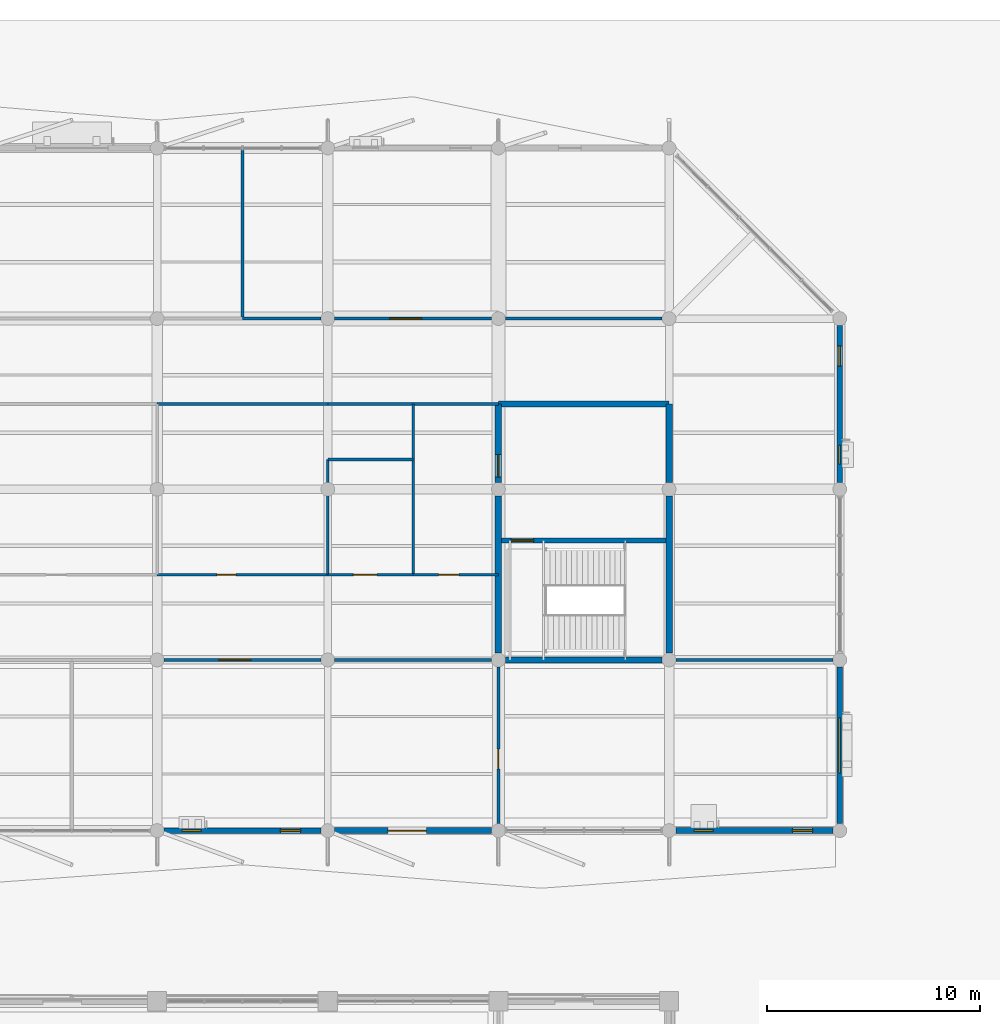
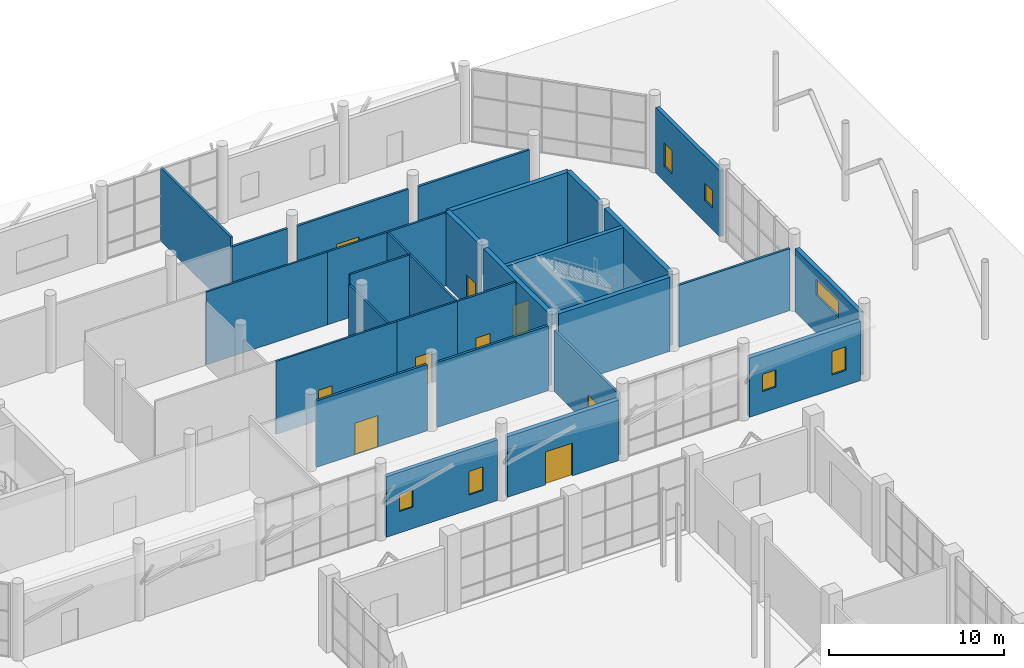
# One storey, part 104 of 123: 28 walls, 9 doors, 7 windows, 16 openings.
"""IFC4 building model written with IfcOpenShell, lengths in metres."""

from ifc_helpers import new_model, si_unit, direction, frame, frame_2d, origin, place, context, subcontext, project, spatial, rectangle, extrude, material, layer, layer_set, type_object, element, fill, save


model = new_model("IFC4")

# Units and contexts
model_context = context("Model", 3, precision=1e-05, world=origin(), true_north=direction((0.0, 1.0)))
body_context = subcontext(model_context, "Body", "Model", "MODEL_VIEW")
ifc_project = project(units=[si_unit("LENGTHUNIT", "METRE"), si_unit("AREAUNIT", "SQUARE_METRE"), si_unit("VOLUMEUNIT", "CUBIC_METRE"), si_unit("PLANEANGLEUNIT", "RADIAN"), si_unit("MASSUNIT", "GRAM", prefix="KILO")], contexts=[model_context])

# Site, building, storey
site_placement = place(None, origin())
site = spatial("IfcSite", under=ifc_project, at=site_placement, CompositionType="ELEMENT")
building_placement = place(site_placement, origin())
building = spatial("IfcBuilding", under=site, at=building_placement, Name="Tenunan Teduh Sports Hall", CompositionType="ELEMENT")
storey_placement = place(building_placement, origin())
storey = spatial("IfcBuildingStorey", under=building, at=storey_placement, Name="L00", CompositionType="ELEMENT", Elevation=0.0)

# Wall, opening, door
ifc_material_1 = material(Name="Concrete C40/50", Category="concrete")
ifc_layer_1 = layer(ifc_material_1, 0.25)
ifc_layer_set_1 = layer_set([ifc_layer_1], Name="Concrete C40/50")
wall_type_1 = type_object("IfcWallType", Name="WL-COR-250", PredefinedType="SOLIDWALL", material=ifc_layer_set_1)
wall_1_placement = place(storey_placement, frame((146.14990234375, 99.60009765625, 0.0), z_axis=(0.0, 0.0, 1.0), x_axis=(1.0, 0.0, 0.0)))
wall_1 = element("IfcWall", 1, at=wall_1_placement, inside=storey, type_object=wall_type_1, Name="WL-COR-L00-203", PredefinedType="SOLIDWALL", context=body_context, shape_type="SweptSolid", body=[
    extrude(rectangle(XDim=7.7001953125, YDim=0.25, at=frame_2d((3.85009765625, 0.0))), origin(), (0.0, 0.0, 1.0), 5.179931640625),
])
opening_1_placement = place(wall_1_placement, frame((0.449951171875, 0.0, 0.0)))
opening_1 = element("IfcOpeningElement", 2, at=opening_1_placement, cuts=wall_1, Name="Opening FD-02", PredefinedType="OPENING", context=body_context, shape_type="SweptSolid", body=[
    extrude(rectangle(XDim=1.050048828125, YDim=2.199951171875, at=frame_2d((0.52490234375, 1.10009765625))), frame((0.0, 0.135009765625, 0.0), z_axis=(0.0, -1.0, 0.0), x_axis=(1.0, 0.0, 0.0)), (0.0, 0.0, 1.0), 0.27001953125),
])
ifc_material_2 = material(Name="Fire-rated steel leaf and frame", Category="steel")
door_type_1 = type_object("IfcDoorType", Name="FDR-02", OperationType="SINGLE_SWING_RIGHT", PredefinedType="DOOR", material=ifc_material_2)
door_1_placement = place(opening_1_placement, frame((1.050048828125, 0.0, 0.0), z_axis=(0.0, 0.0, 1.0), x_axis=(-1.0, 0.0, 0.0)))
door_1 = element("IfcDoor", 3, at=door_1_placement, inside=storey, type_object=door_type_1, Name="DR-INT-L00-080", OperationType="SINGLE_SWING_RIGHT", OverallHeight=2.199951171875, OverallWidth=1.050048828125, PredefinedType="DOOR", context=body_context, shape_type="SweptSolid", body=[
    extrude(rectangle(XDim=1.050048828125, YDim=2.199951171875, at=frame_2d((0.52490234375, 1.10009765625))), frame((0.0, 0.02490234375, 0.0), z_axis=(0.0, -1.0, 0.0), x_axis=(1.0, 0.0, 0.0)), (0.0, 0.0, 1.0), 0.050048828125),
])
fill(opening_1, door_1)

# Wall, openings, windows
ifc_material_3 = material(Name="Precast concrete C40/50", Category="concrete")
ifc_layer_2 = layer(ifc_material_3, 0.25)
ifc_layer_set_2 = layer_set([ifc_layer_2], Name="Precast concrete C40/50")
wall_type_2 = type_object("IfcWallType", Name="WL-EXT-250", PredefinedType="SOLIDWALL", material=ifc_layer_set_2)
wall_2_placement = place(storey_placement, frame((130.324951171875, 86.0, 0.0), z_axis=(0.0, 0.0, 1.0), x_axis=(1.0, 0.0, 0.0)))
wall_2 = element("IfcWall", 4, at=wall_2_placement, inside=storey, type_object=wall_type_2, Name="WL-EXT-L00-217", PredefinedType="SOLIDWALL", context=body_context, shape_type="SweptSolid", body=[
    extrude(rectangle(XDim=7.35009765625, YDim=0.25, at=frame_2d((3.675048828125, 0.0))), origin(), (0.0, 0.0, 1.0), 4.239990234375),
])
opening_2_placement = place(wall_2_placement, frame((0.85009765625, 0.0, 1.5)))
opening_2 = element("IfcOpeningElement", 5, at=opening_2_placement, cuts=wall_2, Name="Opening W-08", PredefinedType="OPENING", context=body_context, shape_type="SweptSolid", body=[
    extrude(rectangle(XDim=0.89990234375, YDim=1.199951171875, at=frame_2d((0.449951171875, 0.60009765625))), frame((0.0, 0.135009765625, 0.0), z_axis=(0.0, -1.0, 0.0), x_axis=(1.0, 0.0, 0.0)), (0.0, 0.0, 1.0), 0.27001953125),
])
opening_3_placement = place(wall_2_placement, frame((5.449951171875, 0.0, 1.050048828125)))
opening_3 = element("IfcOpeningElement", 6, at=opening_3_placement, cuts=wall_2, Name="Opening W-17", PredefinedType="OPENING", context=body_context, shape_type="SweptSolid", body=[
    extrude(rectangle(XDim=0.949951171875, YDim=1.64990234375, at=frame_2d((0.47509765625, 0.824951171875))), frame((0.0, 0.135009765625, 0.0), z_axis=(0.0, -1.0, 0.0), x_axis=(1.0, 0.0, 0.0)), (0.0, 0.0, 1.0), 0.27001953125),
])
ifc_material_4 = material(Name="Thermally broken aluminium and Low-E glazing", Category="aluminium")
window_type_1 = type_object("IfcWindowType", Name="WIN-08", PartitioningType="SINGLE_PANEL", PredefinedType="WINDOW", material=ifc_material_4)
window_1_placement = place(opening_2_placement, origin())
window_1 = element("IfcWindow", 7, at=window_1_placement, inside=storey, type_object=window_type_1, Name="WIN-L00-120", OverallHeight=1.199951171875, OverallWidth=0.89990234375, PartitioningType="SINGLE_PANEL", PredefinedType="WINDOW", context=body_context, shape_type="SweptSolid", body=[
    extrude(rectangle(XDim=0.89990234375, YDim=1.199951171875, at=frame_2d((0.449951171875, 0.60009765625))), frame((0.0, 0.030029296875, 0.0), z_axis=(0.0, -1.0, 0.0), x_axis=(1.0, 0.0, 0.0)), (0.0, 0.0, 1.0), 0.06005859375),
])
fill(opening_2, window_1)
ifc_material_5 = material(Name="Thermally broken aluminium and Low-E glazing", Category="aluminium")
window_type_2 = type_object("IfcWindowType", Name="WIN-17", PartitioningType="SINGLE_PANEL", PredefinedType="WINDOW", material=ifc_material_5)
window_2_placement = place(opening_3_placement, origin())
window_2 = element("IfcWindow", 8, at=window_2_placement, inside=storey, type_object=window_type_2, Name="WIN-L00-121", OverallHeight=1.64990234375, OverallWidth=0.949951171875, PartitioningType="SINGLE_PANEL", PredefinedType="WINDOW", context=body_context, shape_type="SweptSolid", body=[
    extrude(rectangle(XDim=0.949951171875, YDim=1.64990234375, at=frame_2d((0.47509765625, 0.824951171875))), frame((0.0, 0.030029296875, 0.0), z_axis=(0.0, -1.0, 0.0), x_axis=(1.0, 0.0, 0.0)), (0.0, 0.0, 1.0), 0.06005859375),
])
fill(opening_3, window_2)

wall_3_placement = place(storey_placement, frame((162.0, 102.324951171875, 0.0), z_axis=(0.0, 0.0, 1.0), x_axis=(0.0, 1.0, 0.0)))
wall_3 = element("IfcWall", 9, at=wall_3_placement, inside=storey, type_object=wall_type_2, Name="WL-EXT-L00-221", PredefinedType="SOLIDWALL", context=body_context, shape_type="SweptSolid", body=[
    extrude(rectangle(XDim=7.35009765625, YDim=0.25, at=frame_2d((3.675048828125, 0.0))), origin(), (0.0, 0.0, 1.0), 4.590087890625),
])
opening_4_placement = place(wall_3_placement, frame((0.85009765625, 0.0, 1.5)))
opening_4 = element("IfcOpeningElement", 10, at=opening_4_placement, cuts=wall_3, Name="Opening W-08", PredefinedType="OPENING", context=body_context, shape_type="SweptSolid", body=[
    extrude(rectangle(XDim=0.89990234375, YDim=1.199951171875, at=frame_2d((0.449951171875, 0.60009765625))), frame((0.0, 0.135009765625, 0.0), z_axis=(0.0, -1.0, 0.0), x_axis=(1.0, 0.0, 0.0)), (0.0, 0.0, 1.0), 0.27001953125),
])
opening_5_placement = place(wall_3_placement, frame((5.449951171875, 0.0, 1.050048828125)))
opening_5 = element("IfcOpeningElement", 11, at=opening_5_placement, cuts=wall_3, Name="Opening W-17", PredefinedType="OPENING", context=body_context, shape_type="SweptSolid", body=[
    extrude(rectangle(XDim=0.949951171875, YDim=1.64990234375, at=frame_2d((0.47509765625, 0.824951171875))), frame((0.0, 0.135009765625, 0.0), z_axis=(0.0, -1.0, 0.0), x_axis=(1.0, 0.0, 0.0)), (0.0, 0.0, 1.0), 0.27001953125),
])
window_3_placement = place(opening_4_placement, origin())
window_3 = element("IfcWindow", 12, at=window_3_placement, inside=storey, type_object=window_type_1, Name="WIN-L00-125", OverallHeight=1.199951171875, OverallWidth=0.89990234375, PartitioningType="SINGLE_PANEL", PredefinedType="WINDOW", context=body_context, shape_type="SweptSolid", body=[
    extrude(rectangle(XDim=0.89990234375, YDim=1.199951171875, at=frame_2d((0.449951171875, 0.60009765625))), frame((0.0, 0.030029296875, 0.0), z_axis=(0.0, -1.0, 0.0), x_axis=(1.0, 0.0, 0.0)), (0.0, 0.0, 1.0), 0.06005859375),
])
fill(opening_4, window_3)
window_4_placement = place(opening_5_placement, origin())
window_4 = element("IfcWindow", 13, at=window_4_placement, inside=storey, type_object=window_type_2, Name="WIN-L00-126", OverallHeight=1.64990234375, OverallWidth=0.949951171875, PartitioningType="SINGLE_PANEL", PredefinedType="WINDOW", context=body_context, shape_type="SweptSolid", body=[
    extrude(rectangle(XDim=0.949951171875, YDim=1.64990234375, at=frame_2d((0.47509765625, 0.824951171875))), frame((0.0, 0.030029296875, 0.0), z_axis=(0.0, -1.0, 0.0), x_axis=(1.0, 0.0, 0.0)), (0.0, 0.0, 1.0), 0.06005859375),
])
fill(opening_5, window_4)

# Wall, opening, door
ifc_material_6 = material(Name="Concrete C40/50", Category="concrete")
ifc_layer_3 = layer(ifc_material_6, 0.280029296875)
ifc_layer_set_3 = layer_set([ifc_layer_3], Name="Concrete C40/50")
wall_type_3 = type_object("IfcWallType", Name="WL-EXT-280", PredefinedType="SOLIDWALL", material=ifc_layer_set_3)
wall_4_placement = place(storey_placement, frame((138.324951171875, 86.0, 0.0), z_axis=(0.0, 0.0, 1.0), x_axis=(1.0, 0.0, 0.0)))
wall_4 = element("IfcWall", 14, at=wall_4_placement, inside=storey, type_object=wall_type_3, Name="WL-EXT-L00-218", PredefinedType="SOLIDWALL", context=body_context, shape_type="SweptSolid", body=[
    extrude(rectangle(XDim=7.35009765625, YDim=0.280029296875, at=frame_2d((3.675048828125, 0.0))), origin(), (0.0, 0.0, 1.0), 4.239990234375),
])
opening_6_placement = place(wall_4_placement, frame((2.5, 0.0, 0.0)))
opening_6 = element("IfcOpeningElement", 15, at=opening_6_placement, cuts=wall_4, Name="Opening ED-02", PredefinedType="OPENING", context=body_context, shape_type="SweptSolid", body=[
    extrude(rectangle(XDim=1.800048828125, YDim=2.300048828125, at=frame_2d((0.89990234375, 1.14990234375))), frame((0.0, 0.14990234375, 0.0), z_axis=(0.0, -1.0, 0.0), x_axis=(1.0, 0.0, 0.0)), (0.0, 0.0, 1.0), 0.300048828125),
])
ifc_material_7 = material(Name="Powder-coated aluminium and laminated safety glass", Category="aluminium")
door_type_2 = type_object("IfcDoorType", Name="EDR-02", OperationType="DOUBLE_DOOR_SINGLE_SWING", PredefinedType="DOOR", material=ifc_material_7)
door_2_placement = place(opening_6_placement, origin())
door_2 = element("IfcDoor", 16, at=door_2_placement, inside=storey, type_object=door_type_2, Name="DR-EXT-L00-042", OperationType="DOUBLE_DOOR_SINGLE_SWING", OverallHeight=2.300048828125, OverallWidth=1.800048828125, PredefinedType="DOOR", context=body_context, shape_type="SweptSolid", body=[
    extrude(rectangle(XDim=1.800048828125, YDim=2.300048828125, at=frame_2d((0.89990234375, 1.14990234375))), frame((0.0, 0.02490234375, 0.0), z_axis=(0.0, -1.0, 0.0), x_axis=(1.0, 0.0, 0.0)), (0.0, 0.0, 1.0), 0.050048828125),
])
fill(opening_6, door_2)

# Wall, opening, window
wall_5_placement = place(storey_placement, frame((162.0, 86.324951171875, 0.0), z_axis=(0.0, 0.0, 1.0), x_axis=(0.0, 1.0, 0.0)))
wall_5 = element("IfcWall", 17, at=wall_5_placement, inside=storey, type_object=wall_type_3, Name="WL-EXT-L00-220", PredefinedType="SOLIDWALL", context=body_context, shape_type="SweptSolid", body=[
    extrude(rectangle(XDim=7.35009765625, YDim=0.280029296875, at=frame_2d((3.675048828125, 0.0))), origin(), (0.0, 0.0, 1.0), 4.419921875),
])
opening_7_placement = place(wall_5_placement, frame((2.3701171875, 0.0, 2.64990234375)))
opening_7 = element("IfcOpeningElement", 18, at=opening_7_placement, cuts=wall_5, Name="Opening W-16", PredefinedType="OPENING", context=body_context, shape_type="SweptSolid", body=[
    extrude(rectangle(XDim=2.60009765625, YDim=1.10009765625, at=frame_2d((1.300048828125, 0.550048828125))), frame((0.0, 0.14990234375, 0.0), z_axis=(0.0, -1.0, 0.0), x_axis=(1.0, 0.0, 0.0)), (0.0, 0.0, 1.0), 0.300048828125),
])
ifc_material_8 = material(Name="Thermally broken aluminium and Low-E glazing", Category="aluminium")
window_type_3 = type_object("IfcWindowType", Name="WIN-16", PartitioningType="DOUBLE_PANEL_HORIZONTAL", PredefinedType="WINDOW", material=ifc_material_8)
window_5_placement = place(opening_7_placement, origin())
window_5 = element("IfcWindow", 19, at=window_5_placement, inside=storey, type_object=window_type_3, Name="WIN-L00-124", OverallHeight=1.10009765625, OverallWidth=2.60009765625, PartitioningType="SINGLE_PANEL", PredefinedType="WINDOW", context=body_context, shape_type="SweptSolid", body=[
    extrude(rectangle(XDim=2.60009765625, YDim=1.10009765625, at=frame_2d((1.300048828125, 0.550048828125))), frame((0.0, 0.030029296875, 0.0), z_axis=(0.0, -1.0, 0.0), x_axis=(1.0, 0.0, 0.0)), (0.0, 0.0, 1.0), 0.06005859375),
])
fill(opening_7, window_5)

# Wall, openings, windows
ifc_material_9 = material(Name="Concrete C40/50", Category="concrete")
ifc_layer_4 = layer(ifc_material_9, 0.2900390625)
ifc_layer_set_4 = layer_set([ifc_layer_4], Name="Concrete C40/50")
wall_type_4 = type_object("IfcWallType", Name="WL-EXT-290", PredefinedType="SOLIDWALL", material=ifc_layer_set_4)
wall_6_placement = place(storey_placement, frame((154.324951171875, 86.0, 0.0), z_axis=(0.0, 0.0, 1.0), x_axis=(1.0, 0.0, 0.0)))
wall_6 = element("IfcWall", 20, at=wall_6_placement, inside=storey, type_object=wall_type_4, Name="WL-EXT-L00-219", PredefinedType="SOLIDWALL", context=body_context, shape_type="SweptSolid", body=[
    extrude(rectangle(XDim=7.35009765625, YDim=0.2900390625, at=frame_2d((3.675048828125, 0.0))), origin(), (0.0, 0.0, 1.0), 4.139892578125),
])
opening_8_placement = place(wall_6_placement, frame((0.85009765625, 0.0, 1.5)))
opening_8 = element("IfcOpeningElement", 21, at=opening_8_placement, cuts=wall_6, Name="Opening W-08", PredefinedType="OPENING", context=body_context, shape_type="SweptSolid", body=[
    extrude(rectangle(XDim=0.89990234375, YDim=1.199951171875, at=frame_2d((0.449951171875, 0.60009765625))), frame((0.0, 0.155029296875, 0.0), z_axis=(0.0, -1.0, 0.0), x_axis=(1.0, 0.0, 0.0)), (0.0, 0.0, 1.0), 0.31005859375),
])
opening_9_placement = place(wall_6_placement, frame((5.449951171875, 0.0, 1.050048828125)))
opening_9 = element("IfcOpeningElement", 22, at=opening_9_placement, cuts=wall_6, Name="Opening W-17", PredefinedType="OPENING", context=body_context, shape_type="SweptSolid", body=[
    extrude(rectangle(XDim=0.949951171875, YDim=1.64990234375, at=frame_2d((0.47509765625, 0.824951171875))), frame((0.0, 0.155029296875, 0.0), z_axis=(0.0, -1.0, 0.0), x_axis=(1.0, 0.0, 0.0)), (0.0, 0.0, 1.0), 0.31005859375),
])
window_6_placement = place(opening_8_placement, origin())
window_6 = element("IfcWindow", 23, at=window_6_placement, inside=storey, type_object=window_type_1, Name="WIN-L00-122", OverallHeight=1.199951171875, OverallWidth=0.89990234375, PartitioningType="SINGLE_PANEL", PredefinedType="WINDOW", context=body_context, shape_type="SweptSolid", body=[
    extrude(rectangle(XDim=0.89990234375, YDim=1.199951171875, at=frame_2d((0.449951171875, 0.60009765625))), frame((0.0, 0.030029296875, 0.0), z_axis=(0.0, -1.0, 0.0), x_axis=(1.0, 0.0, 0.0)), (0.0, 0.0, 1.0), 0.06005859375),
])
fill(opening_8, window_6)
window_7_placement = place(opening_9_placement, origin())
window_7 = element("IfcWindow", 24, at=window_7_placement, inside=storey, type_object=window_type_2, Name="WIN-L00-123", OverallHeight=1.64990234375, OverallWidth=0.949951171875, PartitioningType="SINGLE_PANEL", PredefinedType="WINDOW", context=body_context, shape_type="SweptSolid", body=[
    extrude(rectangle(XDim=0.949951171875, YDim=1.64990234375, at=frame_2d((0.47509765625, 0.824951171875))), frame((0.0, 0.030029296875, 0.0), z_axis=(0.0, -1.0, 0.0), x_axis=(1.0, 0.0, 0.0)), (0.0, 0.0, 1.0), 0.06005859375),
])
fill(opening_9, window_7)

# Wall, opening, door
ifc_material_10 = material(Name="Moisture-resistant masonry", Category="masonry")
ifc_layer_5 = layer(ifc_material_10, 0.125)
ifc_layer_set_5 = layer_set([ifc_layer_5], Name="Moisture-resistant masonry")
wall_type_5 = type_object("IfcWallType", Name="WL-PRT-125", PredefinedType="PARTITIONING", material=ifc_layer_set_5)
wall_7_placement = place(storey_placement, frame((130.0, 98.0, 0.0), z_axis=(0.0, 0.0, 1.0), x_axis=(1.0, 0.0, 0.0)))
wall_7 = element("IfcWall", 25, at=wall_7_placement, inside=storey, type_object=wall_type_5, Name="WL-PRT-L00-341", PredefinedType="PARTITIONING", context=body_context, shape_type="SweptSolid", body=[
    extrude(rectangle(XDim=8.0, YDim=0.125, at=frame_2d((4.0, 0.0))), origin(), (0.0, 0.0, 1.0), 5.10009765625),
])
opening_10_placement = place(wall_7_placement, frame((2.800048828125, 0.0, 0.0)))
opening_10 = element("IfcOpeningElement", 26, at=opening_10_placement, cuts=wall_7, Name="Opening ID-02", PredefinedType="OPENING", context=body_context, shape_type="SweptSolid", body=[
    extrude(rectangle(XDim=0.89990234375, YDim=2.10009765625, at=frame_2d((0.449951171875, 1.050048828125))), frame((0.0, 0.072509765625, 0.0), z_axis=(0.0, -1.0, 0.0), x_axis=(1.0, 0.0, 0.0)), (0.0, 0.0, 1.0), 0.14501953125),
])
ifc_material_11 = material(Name="Moisture-resistant HPL leaf")
door_type_3 = type_object("IfcDoorType", Name="IDR-02", OperationType="SINGLE_SWING_RIGHT", PredefinedType="DOOR", material=ifc_material_11)
door_3_placement = place(opening_10_placement, frame((0.89990234375, 0.0, 0.0), z_axis=(0.0, 0.0, 1.0), x_axis=(-1.0, 0.0, 0.0)))
door_3 = element("IfcDoor", 27, at=door_3_placement, inside=storey, type_object=door_type_3, Name="DR-INT-L00-131", OperationType="SINGLE_SWING_LEFT", OverallHeight=2.10009765625, OverallWidth=0.89990234375, PredefinedType="DOOR", context=body_context, shape_type="SweptSolid", body=[
    extrude(rectangle(XDim=0.89990234375, YDim=2.10009765625, at=frame_2d((0.449951171875, 1.050048828125))), frame((0.0, 0.02490234375, 0.0), z_axis=(0.0, -1.0, 0.0), x_axis=(1.0, 0.0, 0.0)), (0.0, 0.0, 1.0), 0.050048828125),
])
fill(opening_10, door_3)

wall_8_placement = place(storey_placement, frame((138.0, 98.0, 0.0), z_axis=(0.0, 0.0, 1.0), x_axis=(1.0, 0.0, 0.0)))
wall_8 = element("IfcWall", 28, at=wall_8_placement, inside=storey, type_object=wall_type_5, Name="WL-PRT-L00-342", PredefinedType="PARTITIONING", context=body_context, shape_type="SweptSolid", body=[
    extrude(rectangle(XDim=4.0, YDim=0.125, at=frame_2d((2.0, 0.0))), origin(), (0.0, 0.0, 1.0), 5.10009765625),
])
opening_11_placement = place(wall_8_placement, frame((1.199951171875, 0.0, 0.0)))
opening_11 = element("IfcOpeningElement", 29, at=opening_11_placement, cuts=wall_8, Name="Opening ID-06", PredefinedType="OPENING", context=body_context, shape_type="SweptSolid", body=[
    extrude(rectangle(XDim=1.10009765625, YDim=2.14990234375, at=frame_2d((0.550048828125, 1.074951171875))), frame((0.0, 0.072509765625, 0.0), z_axis=(0.0, -1.0, 0.0), x_axis=(1.0, 0.0, 0.0)), (0.0, 0.0, 1.0), 0.14501953125),
])
ifc_material_12 = material(Name="Accessible pocket sliding leaf")
door_type_4 = type_object("IfcDoorType", Name="IDR-06", OperationType="SLIDING_TO_RIGHT", PredefinedType="DOOR", material=ifc_material_12)
door_4_placement = place(opening_11_placement, frame((1.10009765625, 0.0, 0.0), z_axis=(0.0, 0.0, 1.0), x_axis=(-1.0, 0.0, 0.0)))
door_4 = element("IfcDoor", 30, at=door_4_placement, inside=storey, type_object=door_type_4, Name="DR-INT-L00-132", OperationType="SLIDING_TO_RIGHT", OverallHeight=2.14990234375, OverallWidth=1.10009765625, PredefinedType="DOOR", context=body_context, shape_type="SweptSolid", body=[
    extrude(rectangle(XDim=1.10009765625, YDim=2.14990234375, at=frame_2d((0.550048828125, 1.074951171875))), frame((0.0, 0.02490234375, 0.0), z_axis=(0.0, -1.0, 0.0), x_axis=(1.0, 0.0, 0.0)), (0.0, 0.0, 1.0), 0.050048828125),
])
fill(opening_11, door_4)

wall_9_placement = place(storey_placement, frame((142.0, 98.0, 0.0), z_axis=(0.0, 0.0, 1.0), x_axis=(1.0, 0.0, 0.0)))
wall_9 = element("IfcWall", 31, at=wall_9_placement, inside=storey, type_object=wall_type_5, Name="WL-PRT-L00-343", PredefinedType="PARTITIONING", context=body_context, shape_type="SweptSolid", body=[
    extrude(rectangle(XDim=4.0, YDim=0.125, at=frame_2d((2.0, 0.0))), origin(), (0.0, 0.0, 1.0), 5.10009765625),
])
opening_12_placement = place(wall_9_placement, frame((1.199951171875, 0.0, 0.0)))
opening_12 = element("IfcOpeningElement", 32, at=opening_12_placement, cuts=wall_9, Name="Opening ID-01", PredefinedType="OPENING", context=body_context, shape_type="SweptSolid", body=[
    extrude(rectangle(XDim=0.949951171875, YDim=2.10009765625, at=frame_2d((0.47509765625, 1.050048828125))), frame((0.0, 0.072509765625, 0.0), z_axis=(0.0, -1.0, 0.0), x_axis=(1.0, 0.0, 0.0)), (0.0, 0.0, 1.0), 0.14501953125),
])
ifc_material_13 = material(Name="Solid-core laminate timber", Category="wood")
door_type_5 = type_object("IfcDoorType", Name="IDR-01", OperationType="SINGLE_SWING_LEFT", PredefinedType="DOOR", material=ifc_material_13)
door_5_placement = place(opening_12_placement, frame((0.949951171875, 0.0, 0.0), z_axis=(0.0, 0.0, 1.0), x_axis=(-1.0, 0.0, 0.0)))
door_5 = element("IfcDoor", 33, at=door_5_placement, inside=storey, type_object=door_type_5, Name="DR-INT-L00-133", OperationType="SINGLE_SWING_RIGHT", OverallHeight=2.10009765625, OverallWidth=0.949951171875, PredefinedType="DOOR", context=body_context, shape_type="SweptSolid", body=[
    extrude(rectangle(XDim=0.949951171875, YDim=2.10009765625, at=frame_2d((0.47509765625, 1.050048828125))), frame((0.0, 0.02490234375, 0.0), z_axis=(0.0, -1.0, 0.0), x_axis=(1.0, 0.0, 0.0)), (0.0, 0.0, 1.0), 0.050048828125),
])
fill(opening_12, door_5)

# Walls
wall_10_placement = place(storey_placement, frame((138.0, 98.0, 0.0), z_axis=(0.0, 0.0, 1.0), x_axis=(0.0, 1.0, 0.0)))
element("IfcWall", 34, at=wall_10_placement, inside=storey, type_object=wall_type_5, Name="WL-PRT-L00-348", PredefinedType="PARTITIONING", context=body_context, shape_type="SweptSolid", body=[
    extrude(rectangle(XDim=5.39990234375, YDim=0.125, at=frame_2d((2.699951171875, 0.0))), origin(), (0.0, 0.0, 1.0), 4.389892578125),
])
wall_11_placement = place(storey_placement, frame((138.0, 103.39990234375, 0.0), z_axis=(0.0, 0.0, 1.0), x_axis=(1.0, 0.0, 0.0)))
element("IfcWall", 35, at=wall_11_placement, inside=storey, type_object=wall_type_5, Name="WL-PRT-L00-349", PredefinedType="PARTITIONING", context=body_context, shape_type="SweptSolid", body=[
    extrude(rectangle(XDim=4.0, YDim=0.125, at=frame_2d((2.0, 0.0))), origin(), (0.0, 0.0, 1.0), 5.10009765625),
])
for number, where, z_axis, x_axis, name in (
    (36, (142.0, 98.0, 0.0), (0.0, 0.0, 1.0), (0.0, 1.0, 0.0), "WL-PRT-L00-350"),
    (37, (130.0, 106.0, 0.0), (0.0, 0.0, 1.0), (1.0, 0.0, 0.0), "WL-PRT-L00-352"),
    (38, (138.0, 106.0, 0.0), (0.0, 0.0, 1.0), (1.0, 0.0, 0.0), "WL-PRT-L00-353"),
):
    element("IfcWall", number, at=place(storey_placement, frame(where, z_axis=z_axis, x_axis=x_axis)), inside=storey, type_object=wall_type_5, Name=name, PredefinedType="PARTITIONING", context=body_context, shape_type="SweptSolid", body=[
        extrude(rectangle(XDim=8.0, YDim=0.125, at=frame_2d((4.0, 0.0))), origin(), (0.0, 0.0, 1.0), 5.10009765625),
    ])

# Wall, opening, door
ifc_material_14 = material(Name="Acoustic stud and double plasterboard")
ifc_layer_6 = layer(ifc_material_14, 0.14990234375)
ifc_layer_set_6 = layer_set([ifc_layer_6], Name="Acoustic stud and double plasterboard")
wall_type_6 = type_object("IfcWallType", Name="WL-PRT-150", PredefinedType="PARTITIONING", material=ifc_layer_set_6)
wall_12_placement = place(storey_placement, frame((130.324951171875, 94.0, 0.0), z_axis=(0.0, 0.0, 1.0), x_axis=(1.0, 0.0, 0.0)))
wall_12 = element("IfcWall", 39, at=wall_12_placement, inside=storey, type_object=wall_type_6, Name="WL-PRT-L00-335", PredefinedType="PARTITIONING", context=body_context, shape_type="SweptSolid", body=[
    extrude(rectangle(XDim=7.35009765625, YDim=0.14990234375, at=frame_2d((3.675048828125, 0.0))), origin(), (0.0, 0.0, 1.0), 4.639892578125),
])
opening_13_placement = place(wall_12_placement, frame((2.570068359375, 0.0, 0.0)))
opening_13 = element("IfcOpeningElement", 40, at=opening_13_placement, cuts=wall_12, Name="Opening ID-04", PredefinedType="OPENING", context=body_context, shape_type="SweptSolid", body=[
    extrude(rectangle(XDim=1.5, YDim=2.199951171875, at=frame_2d((0.75, 1.10009765625))), frame((0.0, 0.0849609375, 0.0), z_axis=(0.0, -1.0, 0.0), x_axis=(1.0, 0.0, 0.0)), (0.0, 0.0, 1.0), 0.169921875),
])
ifc_material_15 = material(Name="Acoustic studio timber pair", Category="wood")
door_type_6 = type_object("IfcDoorType", Name="IDR-04", OperationType="DOUBLE_DOOR_SINGLE_SWING", PredefinedType="DOOR", material=ifc_material_15)
door_6_placement = place(opening_13_placement, origin())
door_6 = element("IfcDoor", 41, at=door_6_placement, inside=storey, type_object=door_type_6, Name="DR-INT-L00-128", OperationType="DOUBLE_DOOR_SINGLE_SWING", OverallHeight=2.199951171875, OverallWidth=1.5, PredefinedType="DOOR", context=body_context, shape_type="SweptSolid", body=[
    extrude(rectangle(XDim=1.5, YDim=2.199951171875, at=frame_2d((0.75, 1.10009765625))), frame((0.0, 0.02490234375, 0.0), z_axis=(0.0, -1.0, 0.0), x_axis=(1.0, 0.0, 0.0)), (0.0, 0.0, 1.0), 0.050048828125),
])
fill(opening_13, door_6)

# Walls
wall_13_placement = place(storey_placement, frame((138.324951171875, 94.0, 0.0), z_axis=(0.0, 0.0, 1.0), x_axis=(1.0, 0.0, 0.0)))
element("IfcWall", 42, at=wall_13_placement, inside=storey, type_object=wall_type_6, Name="WL-PRT-L00-336", PredefinedType="PARTITIONING", context=body_context, shape_type="SweptSolid", body=[
    extrude(rectangle(XDim=7.35009765625, YDim=0.14990234375, at=frame_2d((3.675048828125, 0.0))), origin(), (0.0, 0.0, 1.0), 4.5400390625),
])
wall_14_placement = place(storey_placement, frame((154.324951171875, 94.0, 0.0), z_axis=(0.0, 0.0, 1.0), x_axis=(1.0, 0.0, 0.0)))
element("IfcWall", 43, at=wall_14_placement, inside=storey, type_object=wall_type_6, Name="WL-PRT-L00-337", PredefinedType="PARTITIONING", context=body_context, shape_type="SweptSolid", body=[
    extrude(rectangle(XDim=7.35009765625, YDim=0.14990234375, at=frame_2d((3.675048828125, 0.0))), origin(), (0.0, 0.0, 1.0), 4.340087890625),
])

# Wall, opening, door
wall_15_placement = place(storey_placement, frame((146.0, 86.324951171875, 0.0), z_axis=(0.0, 0.0, 1.0), x_axis=(0.0, 1.0, 0.0)))
wall_15 = element("IfcWall", 44, at=wall_15_placement, inside=storey, type_object=wall_type_6, Name="WL-PRT-L00-339", PredefinedType="PARTITIONING", context=body_context, shape_type="SweptSolid", body=[
    extrude(rectangle(XDim=7.35009765625, YDim=0.14990234375, at=frame_2d((3.675048828125, 0.0))), origin(), (0.0, 0.0, 1.0), 4.2900390625),
])
opening_14_placement = place(wall_15_placement, frame((2.570068359375, 0.0, 0.0)))
opening_14 = element("IfcOpeningElement", 45, at=opening_14_placement, cuts=wall_15, Name="Opening ID-08", PredefinedType="OPENING", context=body_context, shape_type="SweptSolid", body=[
    extrude(rectangle(XDim=0.919921875, YDim=2.1201171875, at=frame_2d((0.4599609375, 1.06005859375))), frame((0.0, 0.0849609375, 0.0), z_axis=(0.0, -1.0, 0.0), x_axis=(1.0, 0.0, 0.0)), (0.0, 0.0, 1.0), 0.169921875),
])
ifc_material_16 = material(Name="Acoustic office timber leaf", Category="wood")
door_type_7 = type_object("IfcDoorType", Name="IDR-08", OperationType="SINGLE_SWING_LEFT", PredefinedType="DOOR", material=ifc_material_16)
door_7_placement = place(opening_14_placement, frame((0.919921875, 0.0, 0.0), z_axis=(0.0, 0.0, 1.0), x_axis=(-1.0, 0.0, 0.0)))
door_7 = element("IfcDoor", 46, at=door_7_placement, inside=storey, type_object=door_type_7, Name="DR-INT-L00-129", OperationType="SINGLE_SWING_RIGHT", OverallHeight=2.1201171875, OverallWidth=0.919921875, PredefinedType="DOOR", context=body_context, shape_type="SweptSolid", body=[
    extrude(rectangle(XDim=0.919921875, YDim=2.1201171875, at=frame_2d((0.4599609375, 1.06005859375))), frame((0.0, 0.02490234375, 0.0), z_axis=(0.0, -1.0, 0.0), x_axis=(1.0, 0.0, 0.0)), (0.0, 0.0, 1.0), 0.050048828125),
])
fill(opening_14, door_7)

# Wall
wall_16_placement = place(storey_placement, frame((134.0, 110.0, 0.0), z_axis=(0.0, 0.0, 1.0), x_axis=(1.0, 0.0, 0.0)))
element("IfcWall", 47, at=wall_16_placement, inside=storey, type_object=wall_type_6, Name="WL-PRT-L00-357", PredefinedType="PARTITIONING", context=body_context, shape_type="SweptSolid", body=[
    extrude(rectangle(XDim=3.675048828125, YDim=0.14990234375, at=frame_2d((1.83740234375, 0.0))), origin(), (0.0, 0.0, 1.0), 4.43994140625),
])

# Wall, opening, door
wall_17_placement = place(storey_placement, frame((138.324951171875, 110.0, 0.0), z_axis=(0.0, 0.0, 1.0), x_axis=(1.0, 0.0, 0.0)))
wall_17 = element("IfcWall", 48, at=wall_17_placement, inside=storey, type_object=wall_type_6, Name="WL-PRT-L00-358", PredefinedType="PARTITIONING", context=body_context, shape_type="SweptSolid", body=[
    extrude(rectangle(XDim=7.35009765625, YDim=0.14990234375, at=frame_2d((3.675048828125, 0.0))), origin(), (0.0, 0.0, 1.0), 4.389892578125),
])
opening_15_placement = place(wall_17_placement, frame((2.570068359375, 0.0, 0.0)))
opening_15 = element("IfcOpeningElement", 49, at=opening_15_placement, cuts=wall_17, Name="Opening ID-04", PredefinedType="OPENING", context=body_context, shape_type="SweptSolid", body=[
    extrude(rectangle(XDim=1.5, YDim=2.199951171875, at=frame_2d((0.75, 1.10009765625))), frame((0.0, 0.0849609375, 0.0), z_axis=(0.0, -1.0, 0.0), x_axis=(1.0, 0.0, 0.0)), (0.0, 0.0, 1.0), 0.169921875),
])
door_8_placement = place(opening_15_placement, frame((1.5, 0.0, 0.0), z_axis=(0.0, 0.0, 1.0), x_axis=(-1.0, 0.0, 0.0)))
door_8 = element("IfcDoor", 50, at=door_8_placement, inside=storey, type_object=door_type_6, Name="DR-INT-L00-135", OperationType="DOUBLE_DOOR_SINGLE_SWING", OverallHeight=2.199951171875, OverallWidth=1.5, PredefinedType="DOOR", context=body_context, shape_type="SweptSolid", body=[
    extrude(rectangle(XDim=1.5, YDim=2.199951171875, at=frame_2d((0.75, 1.10009765625))), frame((0.0, 0.02490234375, 0.0), z_axis=(0.0, -1.0, 0.0), x_axis=(1.0, 0.0, 0.0)), (0.0, 0.0, 1.0), 0.050048828125),
])
fill(opening_15, door_8)

# Walls
wall_18_placement = place(storey_placement, frame((146.324951171875, 110.0, 0.0), z_axis=(0.0, 0.0, 1.0), x_axis=(1.0, 0.0, 0.0)))
element("IfcWall", 51, at=wall_18_placement, inside=storey, type_object=wall_type_6, Name="WL-PRT-L00-359", PredefinedType="PARTITIONING", context=body_context, shape_type="SweptSolid", body=[
    extrude(rectangle(XDim=7.35009765625, YDim=0.14990234375, at=frame_2d((3.675048828125, 0.0))), origin(), (0.0, 0.0, 1.0), 4.340087890625),
])
wall_19_placement = place(storey_placement, frame((134.0, 110.0, 0.0), z_axis=(0.0, 0.0, 1.0), x_axis=(0.0, 1.0, 0.0)))
element("IfcWall", 52, at=wall_19_placement, inside=storey, type_object=wall_type_6, Name="WL-PRT-L00-360", PredefinedType="PARTITIONING", context=body_context, shape_type="SweptSolid", body=[
    extrude(rectangle(XDim=8.0, YDim=0.14990234375, at=frame_2d((4.0, 0.0))), origin(), (0.0, 0.0, 1.0), 5.10009765625),
])
ifc_material_17 = material(Name="Concrete C40/50", Category="concrete")
ifc_layer_7 = layer(ifc_material_17, 0.300048828125)
ifc_layer_set_7 = layer_set([ifc_layer_7], Name="Concrete C40/50")
wall_type_7 = type_object("IfcWallType", Name="WL-SHR-300", PredefinedType="SHEAR", material=ifc_layer_set_7)
wall_20_placement = place(storey_placement, frame((146.324951171875, 94.0, 0.0), z_axis=(0.0, 0.0, 1.0), x_axis=(1.0, 0.0, 0.0)))
element("IfcWall", 53, at=wall_20_placement, inside=storey, type_object=wall_type_7, Name="WL-COR-L00-197", PredefinedType="SHEAR", context=body_context, shape_type="SweptSolid", body=[
    extrude(rectangle(XDim=7.35009765625, YDim=0.300048828125, at=frame_2d((3.675048828125, 0.0))), origin(), (0.0, 0.0, 1.0), 5.179931640625),
])
wall_21_placement = place(storey_placement, frame((146.0, 106.0, 0.0), z_axis=(0.0, 0.0, 1.0), x_axis=(1.0, 0.0, 0.0)))
element("IfcWall", 54, at=wall_21_placement, inside=storey, type_object=wall_type_7, Name="WL-COR-L00-198", PredefinedType="SHEAR", context=body_context, shape_type="SweptSolid", body=[
    extrude(rectangle(XDim=8.0, YDim=0.300048828125, at=frame_2d((4.0, 0.0))), origin(), (0.0, 0.0, 1.0), 5.179931640625),
])
wall_22_placement = place(storey_placement, frame((146.0, 94.324951171875, 0.0), z_axis=(0.0, 0.0, 1.0), x_axis=(0.0, 1.0, 0.0)))
element("IfcWall", 55, at=wall_22_placement, inside=storey, type_object=wall_type_7, Name="WL-COR-L00-199", PredefinedType="SHEAR", context=body_context, shape_type="SweptSolid", body=[
    extrude(rectangle(XDim=7.35009765625, YDim=0.300048828125, at=frame_2d((3.675048828125, 0.0))), origin(), (0.0, 0.0, 1.0), 5.179931640625),
])

# Wall, opening, door
wall_23_placement = place(storey_placement, frame((146.0, 102.324951171875, 0.0), z_axis=(0.0, 0.0, 1.0), x_axis=(0.0, 1.0, 0.0)))
wall_23 = element("IfcWall", 56, at=wall_23_placement, inside=storey, type_object=wall_type_7, Name="WL-COR-L00-200", PredefinedType="SHEAR", context=body_context, shape_type="SweptSolid", body=[
    extrude(rectangle(XDim=3.675048828125, YDim=0.300048828125, at=frame_2d((1.83740234375, 0.0))), origin(), (0.0, 0.0, 1.0), 5.179931640625),
])
opening_16_placement = place(wall_23_placement, frame((0.25, 0.0, 0.0)))
opening_16 = element("IfcOpeningElement", 57, at=opening_16_placement, cuts=wall_23, Name="Opening FD-02", PredefinedType="OPENING", context=body_context, shape_type="SweptSolid", body=[
    extrude(rectangle(XDim=1.050048828125, YDim=2.199951171875, at=frame_2d((0.52490234375, 1.10009765625))), frame((0.0, 0.159912109375, 0.0), z_axis=(0.0, -1.0, 0.0), x_axis=(1.0, 0.0, 0.0)), (0.0, 0.0, 1.0), 0.320068359375),
])
door_9_placement = place(opening_16_placement, origin())
door_9 = element("IfcDoor", 58, at=door_9_placement, inside=storey, type_object=door_type_1, Name="DR-INT-L00-079", OperationType="SINGLE_SWING_LEFT", OverallHeight=2.199951171875, OverallWidth=1.050048828125, PredefinedType="DOOR", context=body_context, shape_type="SweptSolid", body=[
    extrude(rectangle(XDim=1.050048828125, YDim=2.199951171875, at=frame_2d((0.52490234375, 1.10009765625))), frame((0.0, 0.02490234375, 0.0), z_axis=(0.0, -1.0, 0.0), x_axis=(1.0, 0.0, 0.0)), (0.0, 0.0, 1.0), 0.050048828125),
])
fill(opening_16, door_9)

# Walls
wall_24_placement = place(storey_placement, frame((154.0, 94.324951171875, 0.0), z_axis=(0.0, 0.0, 1.0), x_axis=(0.0, 1.0, 0.0)))
element("IfcWall", 59, at=wall_24_placement, inside=storey, type_object=wall_type_7, Name="WL-COR-L00-201", PredefinedType="SHEAR", context=body_context, shape_type="SweptSolid", body=[
    extrude(rectangle(XDim=7.35009765625, YDim=0.300048828125, at=frame_2d((3.675048828125, 0.0))), origin(), (0.0, 0.0, 1.0), 5.179931640625),
])
wall_25_placement = place(storey_placement, frame((154.0, 102.324951171875, 0.0), z_axis=(0.0, 0.0, 1.0), x_axis=(0.0, 1.0, 0.0)))
element("IfcWall", 60, at=wall_25_placement, inside=storey, type_object=wall_type_7, Name="WL-COR-L00-202", PredefinedType="SHEAR", context=body_context, shape_type="SweptSolid", body=[
    extrude(rectangle(XDim=3.675048828125, YDim=0.300048828125, at=frame_2d((1.83740234375, 0.0))), origin(), (0.0, 0.0, 1.0), 5.179931640625),
])

save(model, "model.ifc")
